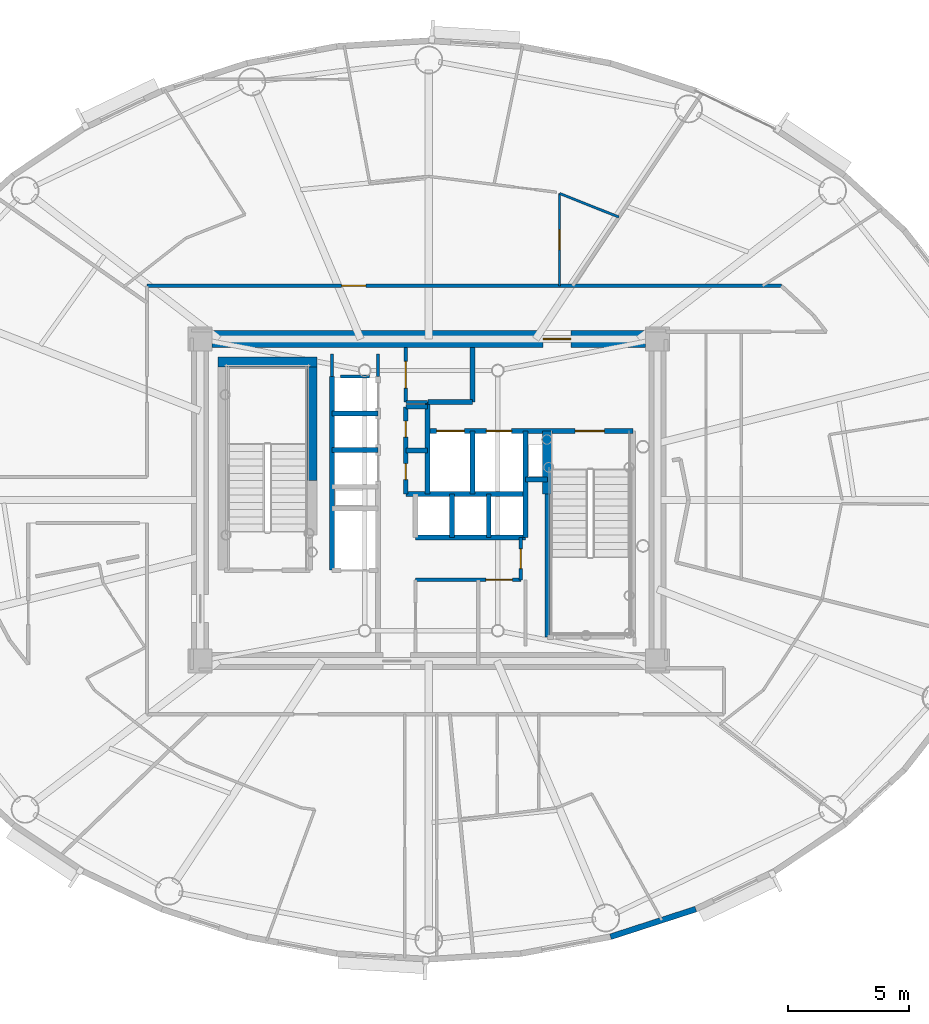
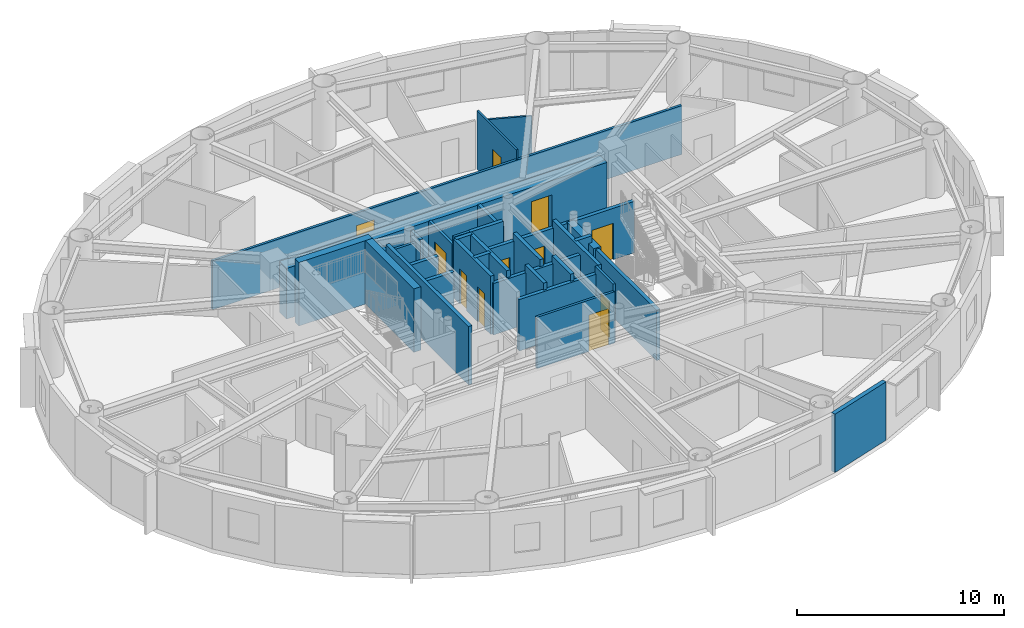
# One storey, part 9 of 18: 33 walls, 11 doors, 11 openings.
"""IFC4 building model written with IfcOpenShell, lengths in metres."""

from ifc_helpers import new_model, si_unit, direction, frame, frame_2d, origin, origin_2d, place, context, subcontext, project, spatial, rectangle, extrude, source, transform, mapped, material, layer, layer_set, type_object, element, fill, save


model = new_model("IFC4")

# Units and contexts
model_context = context("Model", 3, precision=1e-05, world=origin(), true_north=direction((0.0, 1.0)))
body_context = subcontext(model_context, "Body", "Model", "MODEL_VIEW")
ifc_project = project(units=[si_unit("LENGTHUNIT", "METRE"), si_unit("AREAUNIT", "SQUARE_METRE"), si_unit("VOLUMEUNIT", "CUBIC_METRE"), si_unit("PLANEANGLEUNIT", "RADIAN"), si_unit("MASSUNIT", "GRAM", prefix="KILO")], contexts=[model_context])

# Site, building, storey
site_placement = place(None, origin())
site = spatial("IfcSite", under=ifc_project, at=site_placement, CompositionType="ELEMENT")
building_placement = place(site_placement, origin())
building = spatial("IfcBuilding", under=site, at=building_placement, Name="Linh Dai School and Residence Tower", CompositionType="ELEMENT")
storey_placement = place(building_placement, frame((0.0, 0.0, 259.050048828125)))
storey = spatial("IfcBuildingStorey", under=building, at=storey_placement, Name="L64", CompositionType="ELEMENT", Elevation=259.050048828125)

# Wall
ifc_material_1 = material(Name="Precast Concrete B45 (C35/45)", Category="concrete")
ifc_layer_1 = layer(ifc_material_1, 0.239990234375)
ifc_layer_set_1 = layer_set([ifc_layer_1], Name="Precast Concrete B45 (C35/45)")
wall_type_1 = type_object("IfcWallType", Name="EW-TC-240", PredefinedType="SOLIDWALL", material=ifc_layer_set_1)
wall_1_placement = place(storey_placement, frame((47.031005859375, 10.093505859375, 0.0), z_axis=(0.0, 0.0, 1.0), x_axis=(-0.951210789182, -0.308541787354, 0.0)))
element("IfcWall", 1, at=wall_1_placement, inside=storey, type_object=wall_type_1, Name="L64 Terracotta Exterior Wall 33", PredefinedType="SOLIDWALL", context=body_context, shape_type="SweptSolid", body=[
    extrude(rectangle(XDim=3.702392578125, YDim=0.239990234375, at=frame_2d((1.85107421875, 0.0))), origin(), (0.0, 0.0, 1.0), 3.449951171875),
])

# Wall, opening, door
ifc_material_2 = material(Name="Autoclaved Aerated Concrete Blockwork", Category="masonry")
ifc_layer_2 = layer(ifc_material_2, 0.135009765625)
ifc_layer_set_2 = layer_set([ifc_layer_2], Name="Autoclaved Aerated Concrete Blockwork")
wall_type_2 = type_object("IfcWallType", Name="IW-CORR-135-EI90", PredefinedType="PARTITIONING", material=ifc_layer_set_2)
wall_2_placement = place(storey_placement, frame((24.35009765625, 35.85009765625, 0.0), z_axis=(0.0, 0.0, 1.0), x_axis=(1.0, 0.0, 0.0)))
wall_2 = element("IfcWall", 2, at=wall_2_placement, inside=storey, type_object=wall_type_2, Name="L64 Interior Partition Wall 020", PredefinedType="PARTITIONING", context=body_context, shape_type="SweptSolid", body=[
    extrude(rectangle(XDim=26.2177734375, YDim=0.135009765625, at=frame_2d((13.10888671875, 0.0))), origin(), (0.0, 0.0, 1.0), 2.885009765625),
])
opening_1_placement = place(wall_2_placement, frame((8.04541015625, 0.0, 0.0)))
opening_1 = element("IfcOpeningElement", 3, at=opening_1_placement, cuts=wall_2, Name="Opening D03", PredefinedType="OPENING", context=body_context, shape_type="SweptSolid", body=[
    extrude(rectangle(XDim=1.0, YDim=2.14990234375, at=origin_2d()), frame((0.5, 0.07763671875, 1.074951171875), z_axis=(0.0, -1.0, 0.0), x_axis=(1.0, 0.0, 0.0)), (0.0, 0.0, 1.0), 0.155029296875),
])
ifc_material_3 = material(Name="Fire-Rated Solid Timber Entrance Door", Category="wood")
door_type_1 = type_object("IfcDoorType", Name="DR-FLAT-1000x2150-FD60S", OperationType="NOTDEFINED", PredefinedType="DOOR", material=ifc_material_3)
shared_shape_1 = source(origin(), body_context, "Body", "SweptSolid", [
    extrude(rectangle(XDim=1.0, YDim=2.14990234375, at=origin_2d()), frame((0.5, 0.02490234375, 1.074951171875), z_axis=(0.0, -1.0, 0.0), x_axis=(1.0, 0.0, 0.0)), (0.0, 0.0, 1.0), 0.050048828125),
])
door_1_placement = place(opening_1_placement, origin())
door_1 = element("IfcDoor", 4, at=door_1_placement, inside=storey, type_object=door_type_1, Name="L64 U6405 Apartment Entrance Door", OperationType="SINGLE_SWING_LEFT", OverallHeight=2.14990234375, OverallWidth=1.0, PredefinedType="DOOR", context=body_context, shape_type="MappedRepresentation", body=[
    mapped(shared_shape_1, transform((0.0, 0.0, 0.0), x_axis=(1.0, 0.0, 0.0), y_axis=(0.0, 1.0, 0.0), z_axis=(0.0, 0.0, 1.0), scale=1.0)),
])
fill(opening_1, door_1)

wall_3_placement = place(storey_placement, frame((35.050048828125, 31.050048828125, 0.0), z_axis=(0.0, 0.0, 1.0), x_axis=(0.0, 1.0, 0.0)))
wall_3 = element("IfcWall", 5, at=wall_3_placement, inside=storey, type_object=wall_type_2, Name="L64 Interior Partition Wall 043", PredefinedType="PARTITIONING", context=body_context, shape_type="SweptSolid", body=[
    extrude(rectangle(XDim=2.25, YDim=0.135009765625, at=frame_2d((1.125, 0.0))), origin(), (0.0, 0.0, 1.0), 3.034912109375),
])
opening_2_placement = place(wall_3_placement, frame((0.574951171875, 0.0, 0.0)))
opening_2 = element("IfcOpeningElement", 6, at=opening_2_placement, cuts=wall_3, Name="Opening D07", PredefinedType="OPENING", context=body_context, shape_type="SweptSolid", body=[
    extrude(rectangle(XDim=1.10009765625, YDim=2.14990234375, at=origin_2d()), frame((0.550048828125, 0.07763671875, 1.074951171875), z_axis=(0.0, -1.0, 0.0), x_axis=(1.0, 0.0, 0.0)), (0.0, 0.0, 1.0), 0.155029296875),
])
ifc_material_4 = material(Name="Fire-Rated Louvred Steel Plant Door", Category="steel")
door_type_2 = type_object("IfcDoorType", Name="DR-PLT-1100x2150-FD60S", OperationType="NOTDEFINED", PredefinedType="DOOR", material=ifc_material_4)
shared_shape_2 = source(origin(), body_context, "Body", "SweptSolid", [
    extrude(rectangle(XDim=1.10009765625, YDim=2.14990234375, at=origin_2d()), frame((0.550048828125, 0.02490234375, 1.074951171875), z_axis=(0.0, -1.0, 0.0), x_axis=(1.0, 0.0, 0.0)), (0.0, 0.0, 1.0), 0.050048828125),
])
door_2_placement = place(opening_2_placement, origin())
door_2 = element("IfcDoor", 7, at=door_2_placement, inside=storey, type_object=door_type_2, Name="L64 North BMS Switchroom Door", OperationType="SINGLE_SWING_LEFT", OverallHeight=2.14990234375, OverallWidth=1.10009765625, PredefinedType="DOOR", context=body_context, shape_type="MappedRepresentation", body=[
    mapped(shared_shape_2, transform((0.0, 0.0, 0.0), x_axis=(1.0, 0.0, 0.0), y_axis=(0.0, 1.0, 0.0), z_axis=(0.0, 0.0, 1.0), scale=1.0)),
])
fill(opening_2, door_2)

# Wall
wall_4_placement = place(storey_placement, frame((35.050048828125, 31.050048828125, 0.0), z_axis=(0.0, 0.0, 1.0), x_axis=(1.0, 0.0, 0.0)))
element("IfcWall", 8, at=wall_4_placement, inside=storey, type_object=wall_type_2, Name="L64 Interior Partition Wall 044", PredefinedType="PARTITIONING", context=body_context, shape_type="SweptSolid", body=[
    extrude(rectangle(XDim=0.89990234375, YDim=0.135009765625, at=frame_2d((0.449951171875, 0.0))), origin(), (0.0, 0.0, 1.0), 3.449951171875),
])

# Wall, opening, door
wall_5_placement = place(storey_placement, frame((35.449951171875, 23.699951171875, 0.0), z_axis=(0.0, 0.0, 1.0), x_axis=(1.0, 0.0, 0.0)))
wall_5 = element("IfcWall", 9, at=wall_5_placement, inside=storey, type_object=wall_type_2, Name="L64 Interior Partition Wall 046", PredefinedType="PARTITIONING", context=body_context, shape_type="SweptSolid", body=[
    extrude(rectangle(XDim=4.35009765625, YDim=0.135009765625, at=frame_2d((2.175048828125, 0.0))), origin(), (0.0, 0.0, 1.0), 3.034912109375),
])
opening_3_placement = place(wall_5_placement, frame((2.905029296875, 0.0, 0.0)))
opening_3 = element("IfcOpeningElement", 10, at=opening_3_placement, cuts=wall_5, Name="Opening D07", PredefinedType="OPENING", context=body_context, shape_type="SweptSolid", body=[
    extrude(rectangle(XDim=1.10009765625, YDim=2.14990234375, at=origin_2d()), frame((0.550048828125, 0.07763671875, 1.074951171875), z_axis=(0.0, -1.0, 0.0), x_axis=(1.0, 0.0, 0.0)), (0.0, 0.0, 1.0), 0.155029296875),
])
door_3_placement = place(opening_3_placement, origin())
door_3 = element("IfcDoor", 11, at=door_3_placement, inside=storey, type_object=door_type_2, Name="L64 Telecom Node Room Door", OperationType="SINGLE_SWING_RIGHT", OverallHeight=2.14990234375, OverallWidth=1.10009765625, PredefinedType="DOOR", context=body_context, shape_type="MappedRepresentation", body=[
    mapped(shared_shape_2, transform((0.0, 0.0, 0.0), x_axis=(1.0, 0.0, 0.0), y_axis=(0.0, 1.0, 0.0), z_axis=(0.0, 0.0, 1.0), scale=1.0)),
])
fill(opening_3, door_3)

wall_6_placement = place(storey_placement, frame((39.800048828125, 23.699951171875, 0.0), z_axis=(0.0, 0.0, 1.0), x_axis=(0.0, 1.0, 0.0)))
wall_6 = element("IfcWall", 12, at=wall_6_placement, inside=storey, type_object=wall_type_2, Name="L64 Interior Partition Wall 063", PredefinedType="PARTITIONING", context=body_context, shape_type="SweptSolid", body=[
    extrude(rectangle(XDim=1.75, YDim=0.135009765625, at=frame_2d((0.875, 0.0))), origin(), (0.0, 0.0, 1.0), 3.449951171875),
])
opening_4_placement = place(wall_6_placement, frame((0.465087890625, 0.0, 0.0)))
opening_4 = element("IfcOpeningElement", 13, at=opening_4_placement, cuts=wall_6, Name="Opening D06", PredefinedType="OPENING", context=body_context, shape_type="SweptSolid", body=[
    extrude(rectangle(XDim=0.820068359375, YDim=2.10009765625, at=origin_2d()), frame((0.41015625, 0.07763671875, 1.050048828125), z_axis=(0.0, -1.0, 0.0), x_axis=(1.0, 0.0, 0.0)), (0.0, 0.0, 1.0), 0.155029296875),
])
ifc_material_5 = material(Name="Moisture-Resistant Timber Bathroom Door", Category="wood")
door_type_3 = type_object("IfcDoorType", Name="DR-WET-820x2100", OperationType="NOTDEFINED", PredefinedType="DOOR", material=ifc_material_5)
shared_shape_3 = source(origin(), body_context, "Body", "SweptSolid", [
    extrude(rectangle(XDim=0.820068359375, YDim=2.10009765625, at=origin_2d()), frame((0.41015625, 0.02490234375, 1.050048828125), z_axis=(0.0, -1.0, 0.0), x_axis=(1.0, 0.0, 0.0)), (0.0, 0.0, 1.0), 0.050048828125),
])
door_4_placement = place(opening_4_placement, origin())
door_4 = element("IfcDoor", 14, at=door_4_placement, inside=storey, type_object=door_type_3, Name="L64 East Linen Store Door", OperationType="SINGLE_SWING_RIGHT", OverallHeight=2.10009765625, OverallWidth=0.820068359375, PredefinedType="DOOR", context=body_context, shape_type="MappedRepresentation", body=[
    mapped(shared_shape_3, transform((0.0, 0.0, 0.0), x_axis=(1.0, 0.0, 0.0), y_axis=(0.0, 1.0, 0.0), z_axis=(0.0, 0.0, 1.0), scale=1.0)),
])
fill(opening_4, door_4)

# Walls
wall_7_placement = place(storey_placement, frame((32.360107421875, 32.10009765625, 0.0), z_axis=(0.0, 0.0, 1.0), x_axis=(1.0, 0.0, 0.0)))
element("IfcWall", 15, at=wall_7_placement, inside=storey, type_object=wall_type_2, Name="L64 Interior Partition Wall 092", PredefinedType="PARTITIONING", context=body_context, shape_type="SweptSolid", body=[
    extrude(rectangle(XDim=1.179931640625, YDim=0.135009765625, at=frame_2d((0.58984375, 0.0))), origin(), (0.0, 0.0, 1.0), 3.034912109375),
])
wall_8_placement = place(storey_placement, frame((32.0, 33.0400390625, 0.0), z_axis=(0.0, 0.0, 1.0), x_axis=(0.0, -1.0, 0.0)))
element("IfcWall", 16, at=wall_8_placement, inside=storey, type_object=wall_type_2, Name="L64 Interior Partition Wall 094", PredefinedType="PARTITIONING", context=body_context, shape_type="SweptSolid", body=[
    extrude(rectangle(XDim=0.929931640625, YDim=0.135009765625, at=frame_2d((0.46484375, 0.0))), origin(), (0.0, 0.0, 1.0), 2.98486328125),
])
wall_9_placement = place(storey_placement, frame((33.89990234375, 32.110107421875, 0.0), z_axis=(0.0, 0.0, 1.0), x_axis=(0.0, 1.0, 0.0)))
element("IfcWall", 17, at=wall_9_placement, inside=storey, type_object=wall_type_2, Name="L64 Interior Partition Wall 096", PredefinedType="PARTITIONING", context=body_context, shape_type="SweptSolid", body=[
    extrude(rectangle(XDim=0.929931640625, YDim=0.135009765625, at=frame_2d((0.46484375, 0.0))), origin(), (0.0, 0.0, 1.0), 3.034912109375),
])
ifc_material_6 = material(Name="Concrete B45 (C35/45)", Category="concrete")
ifc_layer_3 = layer(ifc_material_6, 0.199951171875)
ifc_layer_set_3 = layer_set([ifc_layer_3], Name="Concrete B45 (C35/45)")
wall_type_3 = type_object("IfcWallType", Name="IW-SHAFT-200-EI120", PredefinedType="PARTITIONING", material=ifc_layer_set_3)
wall_10_placement = place(storey_placement, frame((32.0, 24.10009765625, 0.0), z_axis=(0.0, 0.0, 1.0), x_axis=(0.0, 1.0, 0.0)))
element("IfcWall", 18, at=wall_10_placement, inside=storey, type_object=wall_type_3, Name="L64 Interior Partition Wall 029", PredefinedType="PARTITIONING", context=body_context, shape_type="SweptSolid", body=[
    extrude(rectangle(XDim=8.0, YDim=0.199951171875, at=frame_2d((4.0, 0.0))), origin(), (0.0, 0.0, 1.0), 3.449951171875),
])
for number, where, z_axis, x_axis, name in (
    (19, (32.0, 29.06005859375, 0.0), (0.0, 0.0, 1.0), (1.0, 0.0, 0.0), "L64 Interior Partition Wall 033"),
    (20, (32.0, 30.580078125, 0.0), (0.0, 0.0, 1.0), (1.0, 0.0, 0.0), "L64 Interior Partition Wall 034"),
):
    element("IfcWall", number, at=place(storey_placement, frame(where, z_axis=z_axis, x_axis=x_axis)), inside=storey, type_object=wall_type_3, Name=name, PredefinedType="PARTITIONING", context=body_context, shape_type="SweptSolid", body=[
        extrude(rectangle(XDim=1.89990234375, YDim=0.199951171875, at=frame_2d((0.949951171875, 0.0))), origin(), (0.0, 0.0, 1.0), 3.034912109375),
    ])

# Wall, openings, doors
wall_11_placement = place(storey_placement, frame((35.050048828125, 27.25, 0.0), z_axis=(0.0, 0.0, 1.0), x_axis=(0.0, 1.0, 0.0)))
wall_11 = element("IfcWall", 21, at=wall_11_placement, inside=storey, type_object=wall_type_3, Name="L64 Interior Partition Wall 039", PredefinedType="PARTITIONING", context=body_context, shape_type="SweptSolid", body=[
    extrude(rectangle(XDim=3.60009765625, YDim=0.199951171875, at=frame_2d((1.800048828125, 0.0))), origin(), (0.0, 0.0, 1.0), 3.449951171875),
])
opening_5_placement = place(wall_11_placement, frame((0.590087890625, 0.0, 0.0)))
opening_5 = element("IfcOpeningElement", 22, at=opening_5_placement, cuts=wall_11, Name="Opening AD1", PredefinedType="OPENING", context=body_context, shape_type="SweptSolid", body=[
    extrude(rectangle(XDim=0.659912109375, YDim=2.050048828125, at=origin_2d()), frame((0.330078125, 0.10986328125, 1.02490234375), z_axis=(0.0, -1.0, 0.0), x_axis=(1.0, 0.0, 0.0)), (0.0, 0.0, 1.0), 0.219970703125),
])
opening_6_placement = place(wall_11_placement, frame((2.35009765625, 0.0, 0.0)))
opening_6 = element("IfcOpeningElement", 23, at=opening_6_placement, cuts=wall_11, Name="Opening AD1", PredefinedType="OPENING", context=body_context, shape_type="SweptSolid", body=[
    extrude(rectangle(XDim=0.659912109375, YDim=2.050048828125, at=origin_2d()), frame((0.330078125, 0.10986328125, 1.02490234375), z_axis=(0.0, -1.0, 0.0), x_axis=(1.0, 0.0, 0.0)), (0.0, 0.0, 1.0), 0.219970703125),
])
ifc_material_7 = material(Name="Fire-Rated Steel Riser Access Door", Category="steel")
door_type_4 = type_object("IfcDoorType", Name="DR-ACC-660x2050-FD90S", OperationType="NOTDEFINED", PredefinedType="USERDEFINED", material=ifc_material_7)
shared_shape_4 = source(origin(), body_context, "Body", "SweptSolid", [
    extrude(rectangle(XDim=0.659912109375, YDim=2.050048828125, at=origin_2d()), frame((0.330078125, 0.02490234375, 1.02490234375), z_axis=(0.0, -1.0, 0.0), x_axis=(1.0, 0.0, 0.0)), (0.0, 0.0, 1.0), 0.050048828125),
])
door_5_placement = place(opening_5_placement, origin())
door_5 = element("IfcDoor", 24, at=door_5_placement, inside=storey, type_object=door_type_4, Name="L64 Telecom and Data Riser Access Door", ObjectType="ACCESS DOOR", OperationType="SINGLE_SWING_LEFT", OverallHeight=2.050048828125, OverallWidth=0.659912109375, PredefinedType="USERDEFINED", context=body_context, shape_type="MappedRepresentation", body=[
    mapped(shared_shape_4, transform((0.0, 0.0, 0.0), x_axis=(1.0, 0.0, 0.0), y_axis=(0.0, 1.0, 0.0), z_axis=(0.0, 0.0, 1.0), scale=1.0)),
])
fill(opening_5, door_5)
door_6_placement = place(opening_6_placement, origin())
door_6 = element("IfcDoor", 25, at=door_6_placement, inside=storey, type_object=door_type_4, Name="L64 Mechanical and Plumbing Riser Access Door", ObjectType="ACCESS DOOR", OperationType="SINGLE_SWING_RIGHT", OverallHeight=2.050048828125, OverallWidth=0.659912109375, PredefinedType="USERDEFINED", context=body_context, shape_type="MappedRepresentation", body=[
    mapped(shared_shape_4, transform((0.0, 0.0, 0.0), x_axis=(1.0, 0.0, 0.0), y_axis=(0.0, 1.0, 0.0), z_axis=(0.0, 0.0, 1.0), scale=1.0)),
])
fill(opening_6, door_6)

# Walls
wall_12_placement = place(storey_placement, frame((35.050048828125, 27.25, 0.0), z_axis=(0.0, 0.0, 1.0), x_axis=(1.0, 0.0, 0.0)))
element("IfcWall", 26, at=wall_12_placement, inside=storey, type_object=wall_type_3, Name="L64 Interior Partition Wall 040", PredefinedType="PARTITIONING", context=body_context, shape_type="SweptSolid", body=[
    extrude(rectangle(XDim=4.949951171875, YDim=0.199951171875, at=frame_2d((2.47509765625, 0.0))), origin(), (0.0, 0.0, 1.0), 3.034912109375),
])
for number, where, z_axis, x_axis, name in (
    (27, (35.050048828125, 29.050048828125, 0.0), (0.0, 0.0, 1.0), (1.0, 0.0, 0.0), "L64 Interior Partition Wall 041"),
    (28, (35.050048828125, 30.85009765625, 0.0), (0.0, 0.0, 1.0), (1.0, 0.0, 0.0), "L64 Interior Partition Wall 042"),
):
    element("IfcWall", number, at=place(storey_placement, frame(where, z_axis=z_axis, x_axis=x_axis)), inside=storey, type_object=wall_type_3, Name=name, PredefinedType="PARTITIONING", context=body_context, shape_type="SweptSolid", body=[
        extrude(rectangle(XDim=0.89990234375, YDim=0.199951171875, at=frame_2d((0.449951171875, 0.0))), origin(), (0.0, 0.0, 1.0), 3.449951171875),
    ])
wall_13_placement = place(storey_placement, frame((35.449951171875, 25.449951171875, 0.0), z_axis=(0.0, 0.0, 1.0), x_axis=(1.0, 0.0, 0.0)))
element("IfcWall", 29, at=wall_13_placement, inside=storey, type_object=wall_type_3, Name="L64 Interior Partition Wall 048", PredefinedType="PARTITIONING", context=body_context, shape_type="SweptSolid", body=[
    extrude(rectangle(XDim=4.550048828125, YDim=0.199951171875, at=frame_2d((2.27490234375, 0.0))), origin(), (0.0, 0.0, 1.0), 3.034912109375),
])
wall_14_placement = place(storey_placement, frame((35.949951171875, 27.25, 0.0), z_axis=(0.0, 0.0, 1.0), x_axis=(0.0, 1.0, 0.0)))
element("IfcWall", 30, at=wall_14_placement, inside=storey, type_object=wall_type_3, Name="L64 Interior Partition Wall 049", PredefinedType="PARTITIONING", context=body_context, shape_type="SweptSolid", body=[
    extrude(rectangle(XDim=3.800048828125, YDim=0.199951171875, at=frame_2d((1.89990234375, 0.0))), origin(), (0.0, 0.0, 1.0), 3.449951171875),
])

# Wall, openings, doors
wall_15_placement = place(storey_placement, frame((35.949951171875, 29.85009765625, 0.0), z_axis=(0.0, 0.0, 1.0), x_axis=(1.0, 0.0, 0.0)))
wall_15 = element("IfcWall", 31, at=wall_15_placement, inside=storey, type_object=wall_type_3, Name="L64 Interior Partition Wall 050", PredefinedType="PARTITIONING", context=body_context, shape_type="SweptSolid", body=[
    extrude(rectangle(XDim=8.489990234375, YDim=0.199951171875, at=frame_2d((4.2451171875, 0.0))), origin(), (0.0, 0.0, 1.0), 3.034912109375),
])
opening_7_placement = place(wall_15_placement, frame((6.10009765625, 0.0, 0.0)))
opening_7 = element("IfcOpeningElement", 32, at=opening_7_placement, cuts=wall_15, Name="Opening D01", PredefinedType="OPENING", context=body_context, shape_type="SweptSolid", body=[
    extrude(rectangle(XDim=1.199951171875, YDim=2.14990234375, at=origin_2d()), frame((0.60009765625, 0.10986328125, 1.074951171875), z_axis=(0.0, -1.0, 0.0), x_axis=(1.0, 0.0, 0.0)), (0.0, 0.0, 1.0), 0.219970703125),
])
opening_8_placement = place(wall_15_placement, frame((0.3701171875, 0.0, 0.0)))
opening_8 = element("IfcOpeningElement", 33, at=opening_8_placement, cuts=wall_15, Name="Opening LD-FF1", PredefinedType="OPENING", context=body_context, shape_type="SweptSolid", body=[
    extrude(rectangle(XDim=1.14990234375, YDim=2.14990234375, at=origin_2d()), frame((0.574951171875, 0.10986328125, 1.074951171875), z_axis=(0.0, -1.0, 0.0), x_axis=(1.0, 0.0, 0.0)), (0.0, 0.0, 1.0), 0.219970703125),
])
opening_9_placement = place(wall_15_placement, frame((2.425048828125, 0.0, 0.0)))
opening_9 = element("IfcOpeningElement", 34, at=opening_9_placement, cuts=wall_15, Name="Opening LD-SV1", PredefinedType="OPENING", context=body_context, shape_type="SweptSolid", body=[
    extrude(rectangle(XDim=1.050048828125, YDim=2.14990234375, at=origin_2d()), frame((0.52490234375, 0.10986328125, 1.074951171875), z_axis=(0.0, -1.0, 0.0), x_axis=(1.0, 0.0, 0.0)), (0.0, 0.0, 1.0), 0.219970703125),
])
ifc_material_8 = material(Name="Fire-Rated Steel Door Leaf", Category="steel")
door_type_5 = type_object("IfcDoorType", Name="DR-STAIR-1200x2150-FD90S", OperationType="NOTDEFINED", PredefinedType="DOOR", material=ifc_material_8)
shared_shape_5 = source(origin(), body_context, "Body", "SweptSolid", [
    extrude(rectangle(XDim=1.199951171875, YDim=2.14990234375, at=origin_2d()), frame((0.60009765625, 0.02490234375, 1.074951171875), z_axis=(0.0, -1.0, 0.0), x_axis=(1.0, 0.0, 0.0)), (0.0, 0.0, 1.0), 0.050048828125),
])
door_7_placement = place(opening_7_placement, origin())
door_7 = element("IfcDoor", 35, at=door_7_placement, inside=storey, type_object=door_type_5, Name="L64 Core Smokeproof Exit Stair ST2 Door", OperationType="SINGLE_SWING_RIGHT", OverallHeight=2.14990234375, OverallWidth=1.199951171875, PredefinedType="DOOR", context=body_context, shape_type="MappedRepresentation", body=[
    mapped(shared_shape_5, transform((0.0, 0.0, 0.0), x_axis=(1.0, 0.0, 0.0), y_axis=(0.0, 1.0, 0.0), z_axis=(0.0, 0.0, 1.0), scale=1.0)),
])
fill(opening_7, door_7)
ifc_material_9 = material(Name="Fire-Rated Stainless Steel Firefighting Lift Door", Category="steel")
door_type_6 = type_object("IfcDoorType", Name="DR-LD-FF-1150x2150-FD120", OperationType="DOUBLE_DOOR_SLIDING", PredefinedType="USERDEFINED", material=ifc_material_9)
shared_shape_6 = source(origin(), body_context, "Body", "SweptSolid", [
    extrude(rectangle(XDim=1.14990234375, YDim=2.14990234375, at=origin_2d()), frame((0.574951171875, 0.02490234375, 1.074951171875), z_axis=(0.0, -1.0, 0.0), x_axis=(1.0, 0.0, 0.0)), (0.0, 0.0, 1.0), 0.050048828125),
])
door_8_placement = place(opening_8_placement, origin())
door_8 = element("IfcDoor", 36, at=door_8_placement, inside=storey, type_object=door_type_6, Name="L64 Lift FF1 Sliding Landing Door", ObjectType="LANDING DOOR", OperationType="DOUBLE_DOOR_SLIDING", OverallHeight=2.14990234375, OverallWidth=1.14990234375, PredefinedType="USERDEFINED", context=body_context, shape_type="MappedRepresentation", body=[
    mapped(shared_shape_6, transform((0.0, 0.0, 0.0), x_axis=(1.0, 0.0, 0.0), y_axis=(0.0, 1.0, 0.0), z_axis=(0.0, 0.0, 1.0), scale=1.0)),
])
fill(opening_8, door_8)
ifc_material_10 = material(Name="Brushed Stainless Steel Lift Landing Door", Category="steel")
door_type_7 = type_object("IfcDoorType", Name="DR-LD-PASS-1050x2150", OperationType="DOUBLE_DOOR_SLIDING", PredefinedType="USERDEFINED", material=ifc_material_10)
shared_shape_7 = source(origin(), body_context, "Body", "SweptSolid", [
    extrude(rectangle(XDim=1.050048828125, YDim=2.14990234375, at=origin_2d()), frame((0.52490234375, 0.02490234375, 1.074951171875), z_axis=(0.0, -1.0, 0.0), x_axis=(1.0, 0.0, 0.0)), (0.0, 0.0, 1.0), 0.050048828125),
])
door_9_placement = place(opening_9_placement, origin())
door_9 = element("IfcDoor", 37, at=door_9_placement, inside=storey, type_object=door_type_7, Name="L64 Lift SV1 Sliding Landing Door", ObjectType="LANDING DOOR", OperationType="DOUBLE_DOOR_SLIDING", OverallHeight=2.14990234375, OverallWidth=1.050048828125, PredefinedType="USERDEFINED", context=body_context, shape_type="MappedRepresentation", body=[
    mapped(shared_shape_7, transform((0.0, 0.0, 0.0), x_axis=(1.0, 0.0, 0.0), y_axis=(0.0, 1.0, 0.0), z_axis=(0.0, 0.0, 1.0), scale=1.0)),
])
fill(opening_9, door_9)

# Walls
wall_16_placement = place(storey_placement, frame((35.9599609375, 31.050048828125, 0.0), z_axis=(0.0, 0.0, 1.0), x_axis=(1.0, 0.0, 0.0)))
element("IfcWall", 38, at=wall_16_placement, inside=storey, type_object=wall_type_3, Name="L64 Interior Partition Wall 051", PredefinedType="PARTITIONING", context=body_context, shape_type="SweptSolid", body=[
    extrude(rectangle(XDim=1.840087890625, YDim=0.199951171875, at=frame_2d((0.919921875, 0.0))), origin(), (0.0, 0.0, 1.0), 3.449951171875),
])
wall_17_placement = place(storey_placement, frame((36.9599609375, 25.449951171875, 0.0), z_axis=(0.0, 0.0, 1.0), x_axis=(0.0, 1.0, 0.0)))
element("IfcWall", 39, at=wall_17_placement, inside=storey, type_object=wall_type_3, Name="L64 Interior Partition Wall 055", PredefinedType="PARTITIONING", context=body_context, shape_type="SweptSolid", body=[
    extrude(rectangle(XDim=1.800048828125, YDim=0.199951171875, at=frame_2d((0.89990234375, 0.0))), origin(), (0.0, 0.0, 1.0), 3.449951171875),
])
wall_18_placement = place(storey_placement, frame((37.800048828125, 27.25, 0.0), z_axis=(0.0, 0.0, 1.0), x_axis=(0.0, 1.0, 0.0)))
element("IfcWall", 40, at=wall_18_placement, inside=storey, type_object=wall_type_3, Name="L64 Interior Partition Wall 057", PredefinedType="PARTITIONING", context=body_context, shape_type="SweptSolid", body=[
    extrude(rectangle(XDim=2.60009765625, YDim=0.199951171875, at=frame_2d((1.300048828125, 0.0))), origin(), (0.0, 0.0, 1.0), 3.449951171875),
])
wall_19_placement = place(storey_placement, frame((37.800048828125, 31.050048828125, 0.0), z_axis=(0.0, 0.0, 1.0), x_axis=(0.0, 1.0, 0.0)))
element("IfcWall", 41, at=wall_19_placement, inside=storey, type_object=wall_type_3, Name="L64 Interior Partition Wall 058", PredefinedType="PARTITIONING", context=body_context, shape_type="SweptSolid", body=[
    extrude(rectangle(XDim=2.25, YDim=0.199951171875, at=frame_2d((1.125, 0.0))), origin(), (0.0, 0.0, 1.0), 3.034912109375),
])
wall_20_placement = place(storey_placement, frame((38.47998046875, 25.449951171875, 0.0), z_axis=(0.0, 0.0, 1.0), x_axis=(0.0, 1.0, 0.0)))
element("IfcWall", 42, at=wall_20_placement, inside=storey, type_object=wall_type_3, Name="L64 Interior Partition Wall 060", PredefinedType="PARTITIONING", context=body_context, shape_type="SweptSolid", body=[
    extrude(rectangle(XDim=1.800048828125, YDim=0.199951171875, at=frame_2d((0.89990234375, 0.0))), origin(), (0.0, 0.0, 1.0), 3.449951171875),
])
wall_21_placement = place(storey_placement, frame((40.0, 25.449951171875, 0.0), z_axis=(0.0, 0.0, 1.0), x_axis=(0.0, 1.0, 0.0)))
element("IfcWall", 43, at=wall_21_placement, inside=storey, type_object=wall_type_3, Name="L64 Interior Partition Wall 064", PredefinedType="PARTITIONING", context=body_context, shape_type="SweptSolid", body=[
    extrude(rectangle(XDim=4.400146484375, YDim=0.199951171875, at=frame_2d((2.2001953125, 0.0))), origin(), (0.0, 0.0, 1.0), 3.449951171875),
])
wall_22_placement = place(storey_placement, frame((40.0, 27.85009765625, 0.0), z_axis=(0.0, 0.0, 1.0), x_axis=(1.0, 0.0, 0.0)))
element("IfcWall", 44, at=wall_22_placement, inside=storey, type_object=wall_type_3, Name="L64 Interior Partition Wall 065", PredefinedType="PARTITIONING", context=body_context, shape_type="SweptSolid", body=[
    extrude(rectangle(XDim=0.89990234375, YDim=0.199951171875, at=frame_2d((0.449951171875, 0.0))), origin(), (0.0, 0.0, 1.0), 3.449951171875),
])
wall_23_placement = place(storey_placement, frame((40.89990234375, 21.330078125, 0.0), z_axis=(0.0, 0.0, 1.0), x_axis=(0.0, 1.0, 0.0)))
element("IfcWall", 45, at=wall_23_placement, inside=storey, type_object=wall_type_3, Name="L64 Interior Partition Wall 067", PredefinedType="PARTITIONING", context=body_context, shape_type="SweptSolid", body=[
    extrude(rectangle(XDim=5.909912109375, YDim=0.199951171875, at=frame_2d((2.955078125, 0.0))), origin(), (0.0, 0.0, 1.0), 2.98486328125),
])

# Wall, opening, door
ifc_material_11 = material(Name="Gypsum Plasterboard Acoustic Stud Partition", Category="masonry")
ifc_layer_4 = layer(ifc_material_11, 0.10009765625)
ifc_layer_set_4 = layer_set([ifc_layer_4], Name="Gypsum Plasterboard Acoustic Stud Partition")
wall_type_4 = type_object("IfcWallType", Name="IW-UNIT-100", PredefinedType="PARTITIONING", material=ifc_layer_set_4)
wall_24_placement = place(storey_placement, frame((41.400634765625, 35.85009765625, 0.0), z_axis=(0.0, 0.0, 1.0), x_axis=(0.0, 1.0, 0.0)))
wall_24 = element("IfcWall", 46, at=wall_24_placement, inside=storey, type_object=wall_type_4, Name="L64 Interior Partition Wall 070", PredefinedType="PARTITIONING", context=body_context, shape_type="SweptSolid", body=[
    extrude(rectangle(XDim=3.81982421875, YDim=0.10009765625, at=frame_2d((1.909912109375, 0.0))), origin(), (0.0, 0.0, 1.0), 3.449951171875),
])
opening_10_placement = place(wall_24_placement, frame((1.5, 0.0, 0.0)))
opening_10 = element("IfcOpeningElement", 47, at=opening_10_placement, cuts=wall_24, Name="Opening D06", PredefinedType="OPENING", context=body_context, shape_type="SweptSolid", body=[
    extrude(rectangle(XDim=0.820068359375, YDim=2.10009765625, at=origin_2d()), frame((0.41015625, 0.06005859375, 1.050048828125), z_axis=(0.0, -1.0, 0.0), x_axis=(1.0, 0.0, 0.0)), (0.0, 0.0, 1.0), 0.1201171875),
])
door_10_placement = place(opening_10_placement, origin())
door_10 = element("IfcDoor", 48, at=door_10_placement, inside=storey, type_object=door_type_3, Name="L64 Apartment U6405 Bathroom 1 Door", OperationType="SINGLE_SWING_LEFT", OverallHeight=2.10009765625, OverallWidth=0.820068359375, PredefinedType="DOOR", context=body_context, shape_type="MappedRepresentation", body=[
    mapped(shared_shape_3, transform((0.0, 0.0, 0.0), x_axis=(1.0, 0.0, 0.0), y_axis=(0.0, 1.0, 0.0), z_axis=(0.0, 0.0, 1.0), scale=1.0)),
])
fill(opening_10, door_10)

# Walls
wall_25_placement = place(storey_placement, frame((41.400634765625, 39.669921875, 0.0), z_axis=(0.0, 0.0, 1.0), x_axis=(0.92880772077, -0.370562029677, 0.0)))
element("IfcWall", 49, at=wall_25_placement, inside=storey, type_object=wall_type_4, Name="L64 Interior Partition Wall 071", PredefinedType="PARTITIONING", context=body_context, shape_type="SweptSolid", body=[
    extrude(rectangle(XDim=2.641845703125, YDim=0.10009765625, at=frame_2d((1.32080078125, 0.0))), origin(), (0.0, 0.0, 1.0), 2.885009765625),
])
ifc_layer_5 = layer(ifc_material_6, 0.39990234375)
ifc_layer_set_5 = layer_set([ifc_layer_5], Name="Concrete B45 (C35/45)")
wall_type_5 = type_object("IfcWallType", Name="WL-CORE400", PredefinedType="SHEAR", material=ifc_layer_set_5)
wall_26_placement = place(storey_placement, frame((31.179931640625, 27.800048828125, 0.0), z_axis=(0.0, 0.0, 1.0), x_axis=(0.0, 1.0, 0.0)))
element("IfcWall", 50, at=wall_26_placement, inside=storey, type_object=wall_type_5, Name="L64 Core Stair ST1 Bearing Wall E", PredefinedType="SHEAR", context=body_context, shape_type="SweptSolid", body=[
    extrude(rectangle(XDim=4.89990234375, YDim=0.39990234375, at=frame_2d((2.449951171875, 0.0))), origin(), (0.0, 0.0, 1.0), 3.75),
])
wall_27_placement = place(storey_placement, frame((27.280029296875, 32.699951171875, 0.0), z_axis=(0.0, 0.0, 1.0), x_axis=(1.0, 0.0, 0.0)))
element("IfcWall", 51, at=wall_27_placement, inside=storey, type_object=wall_type_5, Name="L64 Core Stair ST1 Bearing Wall N", PredefinedType="SHEAR", context=body_context, shape_type="SweptSolid", body=[
    extrude(rectangle(XDim=4.099853515625, YDim=0.39990234375, at=frame_2d((2.0498046875, 0.0))), origin(), (0.0, 0.0, 1.0), 3.75),
])
wall_28_placement = place(storey_placement, frame((40.89990234375, 27.25, 0.0), z_axis=(0.0, 0.0, 1.0), x_axis=(0.0, 1.0, 0.0)))
element("IfcWall", 52, at=wall_28_placement, inside=storey, type_object=wall_type_5, Name="L64 Internal Core Shear Wall IE", PredefinedType="SHEAR", context=body_context, shape_type="SweptSolid", body=[
    extrude(rectangle(XDim=2.60009765625, YDim=0.39990234375, at=frame_2d((1.300048828125, 0.0))), origin(), (0.0, 0.0, 1.0), 3.050048828125),
])

# Wall, opening, door
ifc_layer_6 = layer(ifc_material_6, 0.699951171875)
ifc_layer_set_6 = layer_set([ifc_layer_6], Name="Concrete B45 (C35/45)")
wall_type_6 = type_object("IfcWallType", Name="WL-CORE700", PredefinedType="SHEAR", material=ifc_layer_set_6)
wall_29_placement = place(storey_placement, frame((27.050048828125, 33.64990234375, 0.0), z_axis=(0.0, 0.0, 1.0), x_axis=(1.0, 0.0, 0.0)))
wall_29 = element("IfcWall", 53, at=wall_29_placement, inside=storey, type_object=wall_type_6, Name="L64 Central Core Shear Wall N", PredefinedType="SHEAR", context=body_context, shape_type="SweptSolid", body=[
    extrude(rectangle(XDim=17.89990234375, YDim=0.699951171875, at=frame_2d((8.949951171875, 0.0))), origin(), (0.0, 0.0, 1.0), 3.0),
])
opening_11_placement = place(wall_29_placement, frame((13.675048828125, 0.0, 0.0)))
opening_11 = element("IfcOpeningElement", 54, at=opening_11_placement, cuts=wall_29, Name="Opening D02", PredefinedType="OPENING", context=body_context, shape_type="SweptSolid", body=[
    extrude(rectangle(XDim=1.14990234375, YDim=2.14990234375, at=origin_2d()), frame((0.574951171875, 0.35986328125, 1.074951171875), z_axis=(0.0, -1.0, 0.0), x_axis=(1.0, 0.0, 0.0)), (0.0, 0.0, 1.0), 0.719970703125),
])
ifc_material_12 = material(Name="Fire-Rated Glazed Steel Lobby Door", Category="steel")
door_type_8 = type_object("IfcDoorType", Name="DR-LOBBY-1150x2150-FD90S", OperationType="NOTDEFINED", PredefinedType="DOOR", material=ifc_material_12)
shared_shape_8 = source(origin(), body_context, "Body", "SweptSolid", [
    extrude(rectangle(XDim=1.14990234375, YDim=2.14990234375, at=origin_2d()), frame((0.574951171875, 0.02490234375, 1.074951171875), z_axis=(0.0, -1.0, 0.0), x_axis=(1.0, 0.0, 0.0)), (0.0, 0.0, 1.0), 0.050048828125),
])
door_11_placement = place(opening_11_placement, origin())
door_11 = element("IfcDoor", 55, at=door_11_placement, inside=storey, type_object=door_type_8, Name="L64 Firefighting Lobby Door", OperationType="SINGLE_SWING_LEFT", OverallHeight=2.14990234375, OverallWidth=1.14990234375, PredefinedType="DOOR", context=body_context, shape_type="MappedRepresentation", body=[
    mapped(shared_shape_8, transform((0.0, 0.0, 0.0), x_axis=(1.0, 0.0, 0.0), y_axis=(0.0, 1.0, 0.0), z_axis=(0.0, 0.0, 1.0), scale=1.0)),
])
fill(opening_11, door_11)

save(model, "model.ifc")
